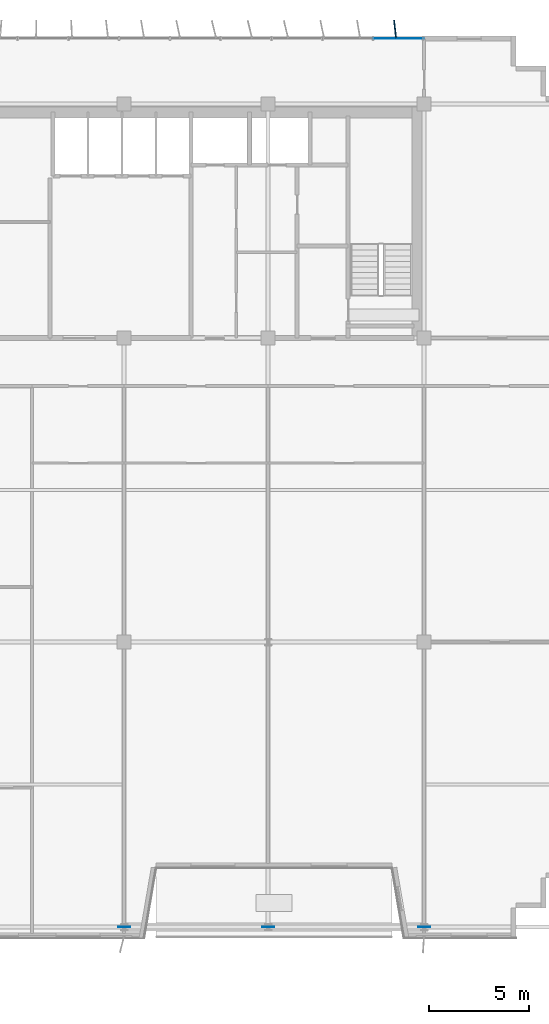
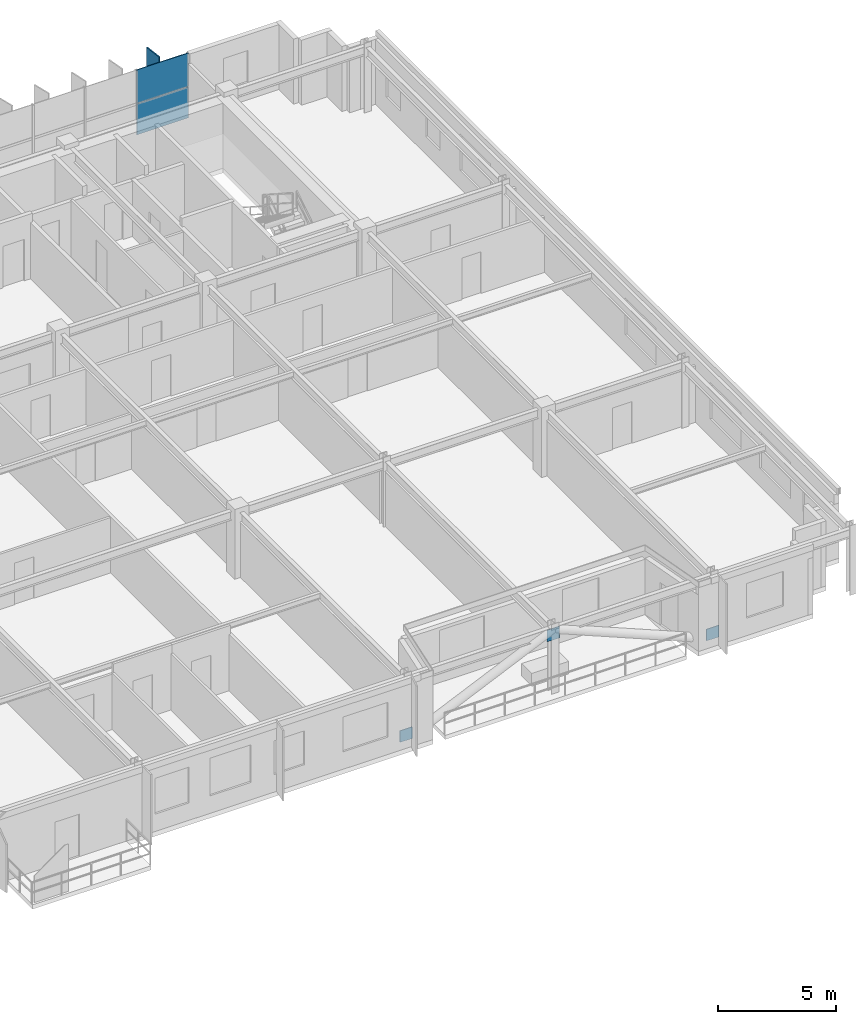
# One storey, part 16 of 23: 6 plates, 1 element without a shape of its own.
"""IFC4 building model written with IfcOpenShell, lengths in metres."""

from ifc_helpers import new_model, si_unit, direction, frame, origin, origin_2d, place, context, subcontext, project, spatial, rectangle, extrude, source, transform, mapped, material, layer, layer_set, type_object, element, aggregate, save


model = new_model("IFC4")

# Units and contexts
model_context = context("Model", 3, precision=1e-05, world=origin(), true_north=direction((0.0, 1.0)))
body_context = subcontext(model_context, "Body", "Model", "MODEL_VIEW")
ifc_project = project(units=[si_unit("LENGTHUNIT", "METRE"), si_unit("AREAUNIT", "SQUARE_METRE"), si_unit("VOLUMEUNIT", "CUBIC_METRE"), si_unit("PLANEANGLEUNIT", "RADIAN"), si_unit("MASSUNIT", "GRAM", prefix="KILO")], contexts=[model_context])

# Site, building, storey
site_placement = place(None, origin())
site = spatial("IfcSite", under=ifc_project, at=site_placement, CompositionType="ELEMENT")
building_placement = place(site_placement, origin())
building = spatial("IfcBuilding", under=site, at=building_placement, Name="Trelvane Seafront Commons", CompositionType="ELEMENT")
storey_placement = place(building_placement, frame((0.0, 0.0, 230.10009765625)))
storey = spatial("IfcBuildingStorey", under=building, at=storey_placement, Name="L60", CompositionType="ELEMENT", Elevation=230.10009765625)

# Plates
ifc_material_1 = material(Name="Steel SM355 (S355)", Category="steel")
ifc_layer_1 = layer(ifc_material_1, 0.031982421875, Name="STR-PLT-GUS2")
ifc_layer_set_1 = layer_set([ifc_layer_1], Name="Steel SM355 (S355)")
plate_type_1 = type_object("IfcPlateType", Name="STR-PLT-GUS2", PredefinedType="SHEET", material=ifc_layer_set_1)
shared_shape_1 = source(origin(), body_context, "Body", "SweptSolid", [
    extrude(rectangle(XDim=0.60009765625, YDim=0.031982421875, at=origin_2d()), origin(), (0.0, 0.0, 1.0), 0.60009765625),
])
for number, where, z_axis, x_axis, name in (
    (1, (43.800048828125, 3.949951171875, -0.020263671875), (0.0, 0.0, 1.0), (1.0, 0.0, 0.0), "L60 Brace Connection Gusset Plate GP-189"),
    (2, (51.0, 3.949951171875, 2.659912109375), (0.0, 0.0, 1.0), (1.0, 0.0, 0.0), "L60 Brace Connection Gusset Plate GP-190"),
    (3, (58.800048828125, 3.949951171875, -0.020263671875), (0.0, 0.0, 1.0), (1.0, 0.0, 0.0), "L60 Brace Connection Gusset Plate GP-191"),
):
    element("IfcPlate", number, at=place(storey_placement, frame(where, z_axis=z_axis, x_axis=x_axis)), inside=storey, type_object=plate_type_1, Name=name, PredefinedType="SHEET", context=body_context, shape_type="MappedRepresentation", body=[
        mapped(shared_shape_1, transform((0.0, 0.0, 0.0), x_axis=(1.0, 0.0, 0.0), y_axis=(0.0, 1.0, 0.0), z_axis=(0.0, 0.0, 1.0), scale=1.0)),
    ])
ifc_material_2 = material(Name="Anodised pale-silver aluminium", Category="aluminium")
ifc_layer_2 = layer(ifc_material_2, 0.06005859375, Name="ARCH-PLATE-FIN900")
ifc_layer_set_2 = layer_set([ifc_layer_2], Name="Anodised pale-silver aluminium")
plate_type_2 = type_object("IfcPlateType", Name="ARCH-PLATE-FIN900", PredefinedType="USERDEFINED", material=ifc_layer_set_2)
shared_shape_2 = source(origin(), body_context, "Body", "SweptSolid", [
    extrude(rectangle(XDim=0.89990234375, YDim=0.06005859375, at=origin_2d()), origin(), (0.0, 0.0, 1.0), 3.639892578125),
])
plate_1_placement = place(storey_placement, frame((57.3505859375, 48.847412109375, -0.02001953125), z_axis=(0.0, 0.0, 1.0), x_axis=(-0.109663184456, 0.993968805333, 0.0)))
element("IfcPlate", 4, at=plate_1_placement, inside=storey, type_object=plate_type_2, Name="FIN-L60-01689", ObjectType="FIN", PredefinedType="USERDEFINED", context=body_context, shape_type="MappedRepresentation", body=[
    mapped(shared_shape_2, transform((0.0, 0.0, 0.0), x_axis=(1.0, 0.0, 0.0), y_axis=(0.0, 1.0, 0.0), z_axis=(0.0, 0.0, 1.0), scale=1.0)),
])

# Curtain wall, plates
curtain_wall_type = type_object("IfcCurtainWallType", Name="ARCH-CW5-UPTOWER", PredefinedType="NOTDEFINED", material=ifc_material_2)
curtain_wall_placement = place(storey_placement, origin())
curtain_wall = element("IfcCurtainWall", 5, at=curtain_wall_placement, inside=storey, type_object=curtain_wall_type, Name="CW-L60-0103", PredefinedType="NOTDEFINED")
ifc_material_3 = material(Name="Low-E coastal double glazing", Category="glass")
ifc_layer_3 = layer(ifc_material_3, 0.033935546875, Name="ARCH-CW-GLAZ-34")
ifc_layer_set_3 = layer_set([ifc_layer_3], Name="Low-E coastal double glazing")
plate_type_3 = type_object("IfcPlateType", Name="ARCH-CW-GLAZ-34", PredefinedType="CURTAIN_PANEL", material=ifc_layer_set_3)
shared_shape_3 = source(origin(), body_context, "Body", "SweptSolid", [
    extrude(rectangle(XDim=2.51708984375, YDim=0.033935546875, at=origin_2d()), origin(), (0.0, 0.0, 1.0), 1.594970703125),
])
plate_2_placement = place(storey_placement, frame((57.529296875, 48.3701171875, 0.0), z_axis=(0.0, 0.0, 1.0), x_axis=(1.0, 0.0, 0.0)))
plate_2 = element("IfcPlate", 6, at=plate_2_placement, type_object=plate_type_3, Name="CW-L60-0103-P16-1", PredefinedType="CURTAIN_PANEL", context=body_context, shape_type="MappedRepresentation", body=[
    mapped(shared_shape_3, transform((0.0, 0.0, 0.0), x_axis=(1.0, 0.0, 0.0), y_axis=(0.0, 1.0, 0.0), z_axis=(0.0, 0.0, 1.0), scale=1.0)),
])
shared_shape_4 = source(origin(), body_context, "Body", "SweptSolid", [
    extrude(rectangle(XDim=2.51708984375, YDim=0.033935546875, at=origin_2d()), origin(), (0.0, 0.0, 1.0), 1.72900390625),
])
plate_3_placement = place(storey_placement, frame((57.529296875, 48.3701171875, 1.630859375), z_axis=(0.0, 0.0, 1.0), x_axis=(1.0, 0.0, 0.0)))
plate_3 = element("IfcPlate", 7, at=plate_3_placement, type_object=plate_type_3, Name="CW-L60-0103-P16-2", PredefinedType="CURTAIN_PANEL", context=body_context, shape_type="MappedRepresentation", body=[
    mapped(shared_shape_4, transform((0.0, 0.0, 0.0), x_axis=(1.0, 0.0, 0.0), y_axis=(0.0, 1.0, 0.0), z_axis=(0.0, 0.0, 1.0), scale=1.0)),
])
aggregate(curtain_wall, [plate_2, plate_3])

save(model, "model.ifc")
